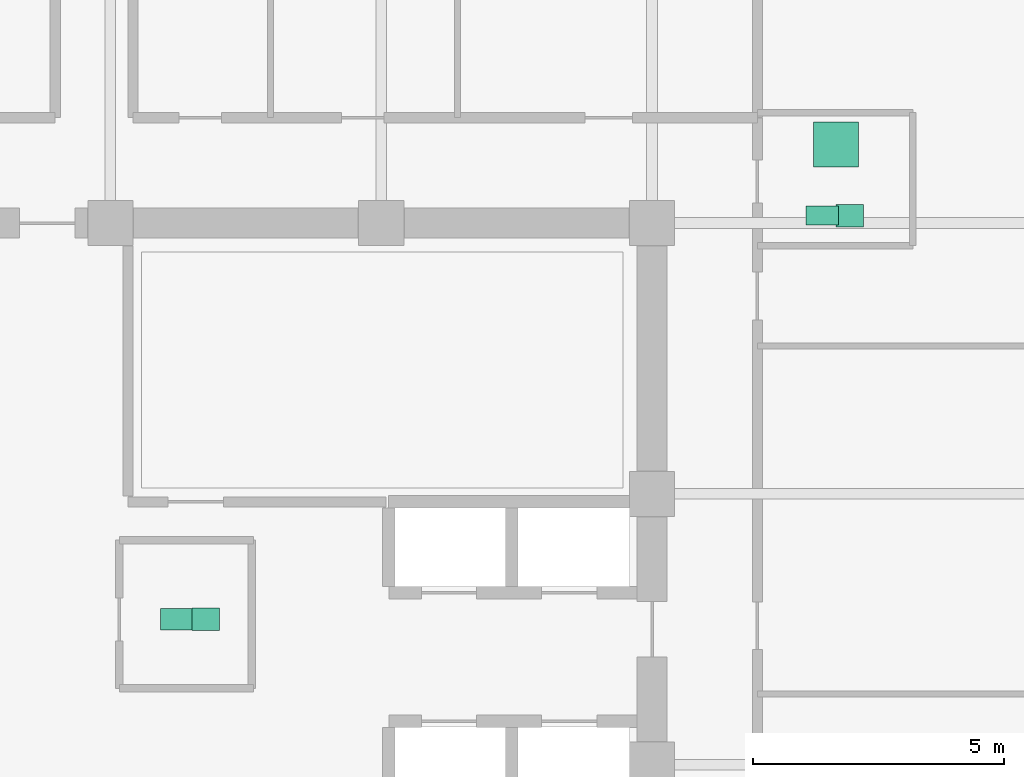
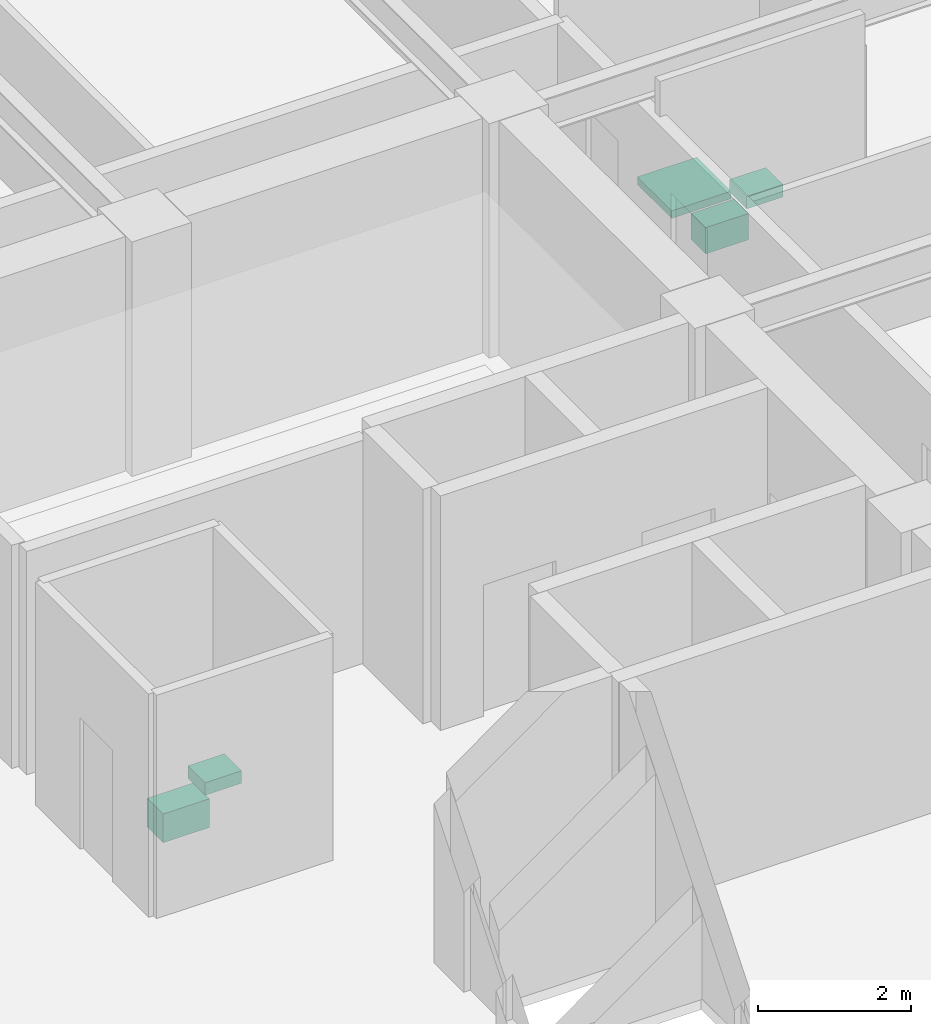
# One storey, part 32 of 32: 5 sanitary terminals.
"""IFC4 building model written with IfcOpenShell, lengths in metres."""

import ifcopenshell
import ifcopenshell.guid

model = None  # the IFC model being written
_history = None  # IfcOwnerHistory: only IFC2X3 demands one
_inside = {}  # id of a spatial element -> (the spatial element, [elements in it])
_under = {}  # id of a project, library or spatial element -> (it, [spatial elements below it])
_declared = {}  # id of a project -> (the project, [libraries it declares])
_typed = {}  # id of a type object -> (the type object, [elements of that type])
_made_of = {}  # id of a material, layer set ... -> (it, [elements and type objects made of it])


def new_model(schema):
    """Start an empty IFC model of exactly this schema.

    Asked for "IFC4X3", IfcOpenShell would pick the latest addendum, in which some entities
    have other attributes; the version numbers below select the first issue.
    IFC2X3 requires an IfcOwnerHistory on every rooted entity: one is made here for all.
    """
    global model, _history
    if schema == "IFC4X3":
        model = ifcopenshell.file(schema_version=(4, 3, 0, 0))
    else:
        model = ifcopenshell.file(schema=schema)
    _inside.clear()
    _under.clear()
    _declared.clear()
    _typed.clear()
    _made_of.clear()
    _history = None
    if model.schema == "IFC2X3":
        org = make("IfcOrganization", Name="unknown")
        user = make(
            "IfcPersonAndOrganization",
            ThePerson=make("IfcPerson", FamilyName="unknown"),
            TheOrganization=org,
        )
        app = make(
            "IfcApplication",
            ApplicationDeveloper=org,
            Version="unknown",
            ApplicationFullName="unknown",
            ApplicationIdentifier="unknown",
        )
        _history = make(
            "IfcOwnerHistory",
            OwningUser=user,
            OwningApplication=app,
            ChangeAction="ADDED",
            CreationDate=0,
        )
    return model


def make(cls, **values):
    """One entity of the class cls with the attributes given. An attribute that is None is left unset."""
    return model.create_entity(
        cls, **{name: value for name, value in values.items() if value is not None}
    )


def rooted(cls, **values):
    """An entity with a GlobalId (a new one), such as an element, a storey or a relation."""
    return make(cls, GlobalId=ifcopenshell.guid.new(), OwnerHistory=_history, **values)


def si_unit(unit_type, name, prefix=None):
    """IfcSIUnit, for example si_unit("LENGTHUNIT", "METRE", prefix="MILLI")."""
    return make("IfcSIUnit", UnitType=unit_type, Prefix=prefix, Name=name)


def assignment(units):
    """IfcUnitAssignment: the units of a project."""
    return None if units is None else make("IfcUnitAssignment", Units=units)


def point(xyz):
    """IfcCartesianPoint."""
    return None if xyz is None else make("IfcCartesianPoint", Coordinates=xyz)


def direction(xyz):
    """IfcDirection."""
    return None if xyz is None else make("IfcDirection", DirectionRatios=xyz)


def frame(location, z_axis=None, x_axis=None):
    """IfcAxis2Placement3D, a coordinate frame: its origin and axes. An axis left out is left unset."""
    return make(
        "IfcAxis2Placement3D",
        Location=point(location),
        Axis=direction(z_axis),
        RefDirection=direction(x_axis),
    )


def frame_2d(location, x_axis=None):
    """IfcAxis2Placement2D, a coordinate frame in the plane: its origin and x axis."""
    return make(
        "IfcAxis2Placement2D", Location=point(location), RefDirection=direction(x_axis)
    )


def origin():
    """The frame at (0, 0, 0) with its axes left unset."""
    return frame((0.0, 0.0, 0.0))


def origin_2d():
    """The frame at (0, 0) in the plane with its x axis left unset."""
    return frame_2d((0.0, 0.0))


def place(relative_to, where):
    """IfcLocalPlacement: puts the frame where relative to a parent placement (None: the world)."""
    return make(
        "IfcLocalPlacement", PlacementRelTo=relative_to, RelativePlacement=where
    )


def context(
    kind, dimensions, precision=None, world=None, true_north=None, identifier=None
):
    """IfcGeometricRepresentationContext, for example the 3D "Model" context."""
    return make(
        "IfcGeometricRepresentationContext",
        ContextIdentifier=identifier,
        ContextType=kind,
        CoordinateSpaceDimension=dimensions,
        Precision=precision,
        WorldCoordinateSystem=world,
        TrueNorth=true_north,
    )


def subcontext(parent, identifier, kind, view, scale=None):
    """IfcGeometricRepresentationSubContext, for example "Body" below "Model"."""
    return make(
        "IfcGeometricRepresentationSubContext",
        ContextIdentifier=identifier,
        ContextType=kind,
        ParentContext=parent,
        TargetScale=scale,
        TargetView=view,
    )


def project(units=None, contexts=None):
    """IfcProject with its units and contexts."""
    return rooted(
        "IfcProject",
        Name="project",
        RepresentationContexts=contexts,
        UnitsInContext=assignment(units),
    )


def spatial(cls, under=None, at=None, **own):
    """A site, building, storey or space (cls), placed at a placement, below another one or the project."""
    s = rooted(cls, ObjectPlacement=at, **own)
    if under is not None:
        _under.setdefault(under.id(), (under, []))[1].append(s)
    return s


def profile(cls, at=None, kind="AREA", **sizes):
    """A parametric profile (cls). Its sizes go by their IFC names, for example OverallWidth=200.0."""
    return make(cls, ProfileType=kind, Position=at, **sizes)


def rectangle(**sizes):
    """IfcRectangleProfileDef."""
    return profile("IfcRectangleProfileDef", **sizes)


def extrude(swept, where, along, depth):
    """IfcExtrudedAreaSolid: the profile swept, set in the frame where, extruded along a direction by depth."""
    return make(
        "IfcExtrudedAreaSolid",
        SweptArea=swept,
        Position=where,
        ExtrudedDirection=direction(along),
        Depth=depth,
    )


def shape(context_of_items, identifier, shape_type, items):
    """IfcShapeRepresentation: the items that make up one representation, for example the "Body"."""
    return make(
        "IfcShapeRepresentation",
        ContextOfItems=context_of_items,
        RepresentationIdentifier=identifier,
        RepresentationType=shape_type,
        Items=items,
    )


def material(Name=None, Category=None):
    """IfcMaterial."""
    return make("IfcMaterial", Name=Name, Category=Category)


def made_of(thing, what):
    """Note that an element or type object is made of a material, layer set ...; save() writes the relation."""
    if what is not None:
        _made_of.setdefault(what.id(), (what, []))[1].append(thing)
    return thing


def type_object(cls, material=None, **own):
    """A type object (cls), such as IfcWallType, which elements share."""
    return made_of(rooted(cls, **own), material)


def element(
    cls,
    number,
    at=None,
    inside=None,
    cuts=None,
    type_object=None,
    material=None,
    context=None,
    identifier="Body",
    shape_type=None,
    held_by="IfcProductDefinitionShape",
    body=None,
    shapes=None,
    **own,
):
    """One element of the class cls, such as IfcWall. Its Tag is "e" and its number.

    at: its placement. inside: the storey or other place that contains it. cuts: it is an
    opening in that element (IfcRelVoidsElement). A single representation is given by context,
    identifier, shape_type and body (its items); several are given by shapes. held_by: the class
    of the entity that holds the representations. save() writes the other relations.
    """
    e = rooted(cls, Tag="e%d" % number, ObjectPlacement=at, **own)
    if body is not None:
        shapes = [shape(context, identifier, shape_type, body)]
    if shapes is not None:
        e.Representation = make(held_by, Representations=shapes)
    if inside is not None:
        _inside.setdefault(inside.id(), (inside, []))[1].append(e)
    if cuts is not None:
        rooted(
            "IfcRelVoidsElement", RelatingBuildingElement=cuts, RelatedOpeningElement=e
        )
    if type_object is not None:
        _typed.setdefault(type_object.id(), (type_object, []))[1].append(e)
    return made_of(e, material)


def aggregate(whole, parts):
    """IfcRelAggregates: a whole, such as a stair, and the parts it consists of."""
    return rooted("IfcRelAggregates", RelatingObject=whole, RelatedObjects=parts)


def save(model, path):
    """Write the relations noted so far, then the file.

    IfcRelAggregates (storeys below a building ...), IfcRelContainedInSpatialStructure (elements
    in a storey), IfcRelDefinesByType, IfcRelAssociatesMaterial and IfcRelDeclares: one each for
    every whole, place, type object, material and project.
    """
    for whole, parts in _under.values():
        aggregate(whole, parts)
    for where, things in _inside.values():
        rooted(
            "IfcRelContainedInSpatialStructure",
            RelatedElements=things,
            RelatingStructure=where,
        )
    for kind, things in _typed.values():
        rooted("IfcRelDefinesByType", RelatedObjects=things, RelatingType=kind)
    for what, things in _made_of.values():
        rooted("IfcRelAssociatesMaterial", RelatedObjects=things, RelatingMaterial=what)
    for by, libraries in _declared.values():
        rooted("IfcRelDeclares", RelatingContext=by, RelatedDefinitions=libraries)
    model.write(path)


model = new_model("IFC4")

# Units and contexts
model_context = context("Model", 3, precision=1e-05, world=origin(), true_north=direction((0.0, 1.0)))
body_context = subcontext(model_context, "Body", "Model", "MODEL_VIEW")
ifc_project = project(units=[si_unit("LENGTHUNIT", "METRE"), si_unit("AREAUNIT", "SQUARE_METRE"), si_unit("VOLUMEUNIT", "CUBIC_METRE"), si_unit("PLANEANGLEUNIT", "RADIAN"), si_unit("MASSUNIT", "GRAM", prefix="KILO")], contexts=[model_context])

# Site, building, storey
site_placement = place(None, origin())
site = spatial("IfcSite", under=ifc_project, at=site_placement, CompositionType="ELEMENT")
building_placement = place(site_placement, origin())
building = spatial("IfcBuilding", under=site, at=building_placement, Name="Surkhivell Harbour Commons", CompositionType="ELEMENT")
storey_placement = place(building_placement, frame((0.0, 0.0, 216.0)))
storey = spatial("IfcBuildingStorey", under=building, at=storey_placement, Name="L56", CompositionType="ELEMENT", Elevation=216.0)

# Sanitary terminals
ifc_material_1 = material(Name="Vitreous china washbasin", Category="other")
sanitary_terminal_type_1 = type_object("IfcSanitaryTerminalType", Name="SAN-BSN", PredefinedType="WASHHANDBASIN", material=ifc_material_1)
for number, where, z_axis, x_axis, name in (
    (1, (1.89990234375, 2.89990234375, 0.72021484375), (0.0, 0.0, 1.0), (1.0, 0.0, 0.0), "L56 Core Accessible WC Washbasin"),
    (2, (14.739990234375, 10.949951171875, 0.72021484375), (0.0, 0.0, 1.0), (1.0, 0.0, 0.0), "L56 East Communal Bathroom WC Washbasin"),
):
    element("IfcSanitaryTerminal", number, at=place(storey_placement, frame(where, z_axis=z_axis, x_axis=x_axis)), inside=storey, type_object=sanitary_terminal_type_1, Name=name, PredefinedType="WASHHANDBASIN", context=body_context, shape_type="SweptSolid", body=[
        extrude(rectangle(XDim=0.550048828125, YDim=0.449951171875, at=origin_2d()), origin(), (0.0, 0.0, 1.0), 0.199951171875),
    ])
ifc_material_2 = material(Name="Glazed porcelain shower tray", Category="other")
sanitary_terminal_type_2 = type_object("IfcSanitaryTerminalType", Name="SAN-SHW", PredefinedType="SHOWER", material=ifc_material_2)
sanitary_terminal_1_placement = place(storey_placement, frame((14.469970703125, 12.3701171875, 0.0), z_axis=(0.0, 0.0, 1.0), x_axis=(1.0, 0.0, 0.0)))
element("IfcSanitaryTerminal", 3, at=sanitary_terminal_1_placement, inside=storey, type_object=sanitary_terminal_type_2, Name="L56 East Communal Shower Tray", PredefinedType="SHOWER", context=body_context, shape_type="SweptSolid", body=[
    extrude(rectangle(XDim=0.89990234375, YDim=0.89990234375, at=origin_2d()), origin(), (0.0, 0.0, 1.0), 0.1201171875),
])
ifc_material_3 = material(Name="Vitreous china sanitaryware", Category="other")
sanitary_terminal_type_3 = type_object("IfcSanitaryTerminalType", Name="SAN-WC-ACC", PredefinedType="TOILETPAN", material=ifc_material_3)
sanitary_terminal_2_placement = place(storey_placement, frame((1.35009765625, 2.89990234375, 0.169921875), z_axis=(0.0, 0.0, 1.0), x_axis=(1.0, 0.0, 0.0)))
element("IfcSanitaryTerminal", 4, at=sanitary_terminal_2_placement, inside=storey, type_object=sanitary_terminal_type_3, Name="L56 Core Accessible WC", PredefinedType="TOILETPAN", context=body_context, shape_type="SweptSolid", body=[
    extrude(rectangle(XDim=0.699951171875, YDim=0.419921875, at=origin_2d()), origin(), (0.0, 0.0, 1.0), 0.4599609375),
])
sanitary_terminal_type_4 = type_object("IfcSanitaryTerminalType", Name="SAN-WC-STD", PredefinedType="TOILETPAN", material=ifc_material_3)
sanitary_terminal_3_placement = place(storey_placement, frame((14.18994140625, 10.949951171875, 0.18994140625), z_axis=(0.0, 0.0, 1.0), x_axis=(1.0, 0.0, 0.0)))
element("IfcSanitaryTerminal", 5, at=sanitary_terminal_3_placement, inside=storey, type_object=sanitary_terminal_type_4, Name="L56 East Communal Bathroom WC", PredefinedType="TOILETPAN", context=body_context, shape_type="SweptSolid", body=[
    extrude(rectangle(XDim=0.64990234375, YDim=0.3798828125, at=origin_2d()), origin(), (0.0, 0.0, 1.0), 0.419921875),
])

save(model, "model.ifc")
